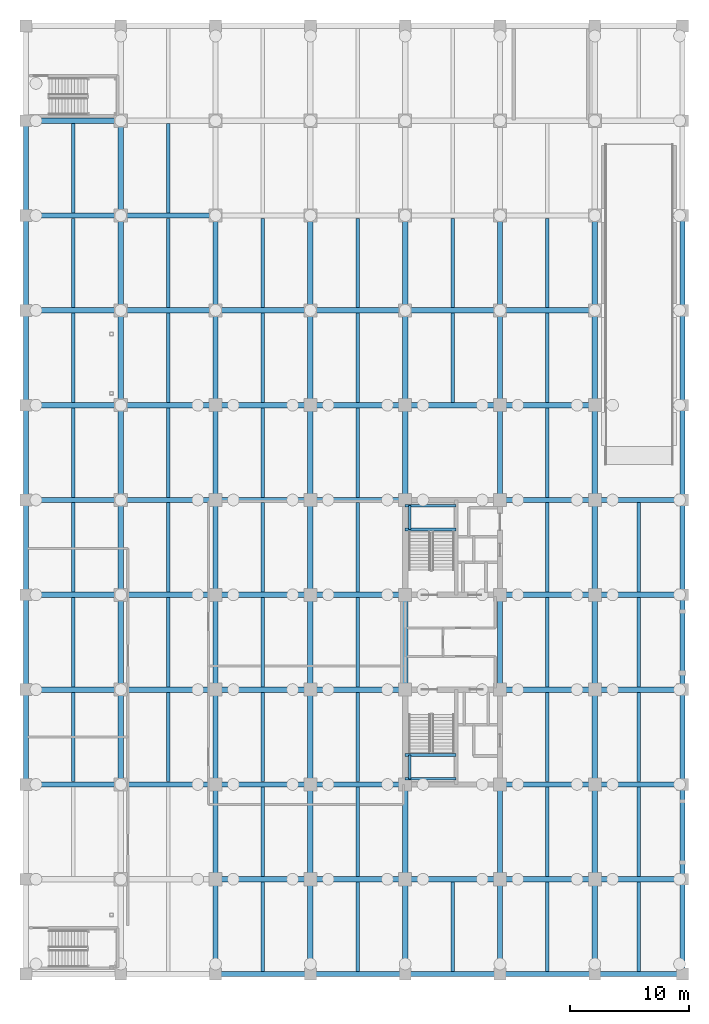
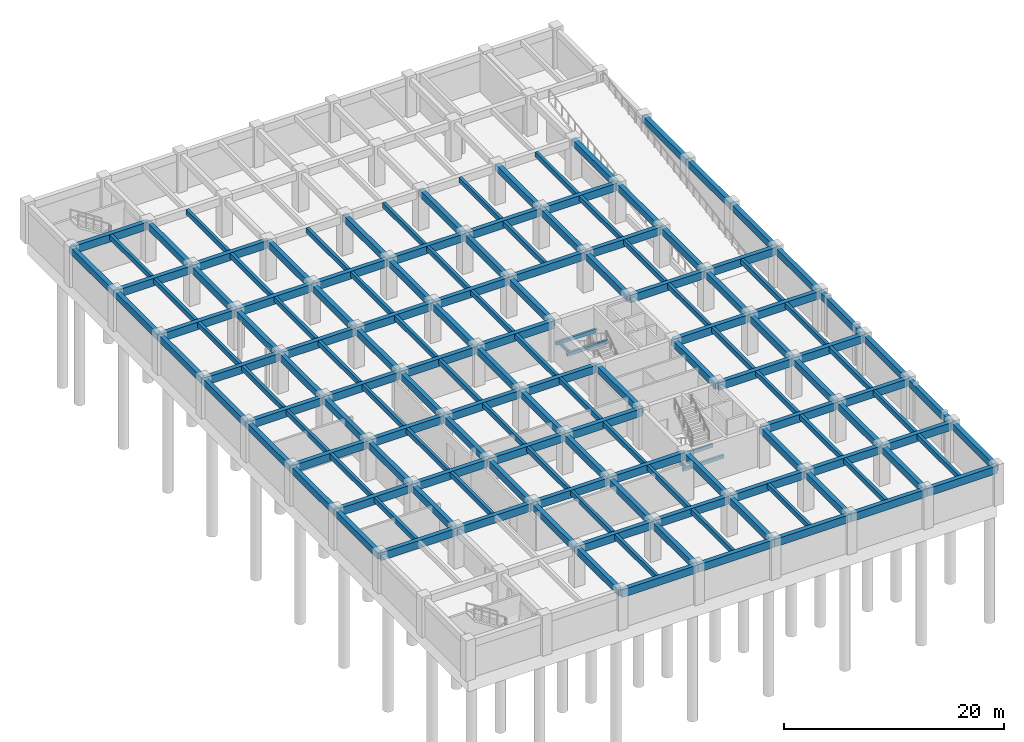
# One storey, part 7 of 15: 159 beams.
"""IFC4 building model written with IfcOpenShell, lengths in metres."""

import ifcopenshell
import ifcopenshell.guid

model = None  # the IFC model being written
_history = None  # IfcOwnerHistory: only IFC2X3 demands one
_inside = {}  # id of a spatial element -> (the spatial element, [elements in it])
_under = {}  # id of a project, library or spatial element -> (it, [spatial elements below it])
_declared = {}  # id of a project -> (the project, [libraries it declares])
_typed = {}  # id of a type object -> (the type object, [elements of that type])
_made_of = {}  # id of a material, layer set ... -> (it, [elements and type objects made of it])


def new_model(schema):
    """Start an empty IFC model of exactly this schema.

    Asked for "IFC4X3", IfcOpenShell would pick the latest addendum, in which some entities
    have other attributes; the version numbers below select the first issue.
    IFC2X3 requires an IfcOwnerHistory on every rooted entity: one is made here for all.
    """
    global model, _history
    if schema == "IFC4X3":
        model = ifcopenshell.file(schema_version=(4, 3, 0, 0))
    else:
        model = ifcopenshell.file(schema=schema)
    _inside.clear()
    _under.clear()
    _declared.clear()
    _typed.clear()
    _made_of.clear()
    _history = None
    if model.schema == "IFC2X3":
        org = make("IfcOrganization", Name="unknown")
        user = make(
            "IfcPersonAndOrganization",
            ThePerson=make("IfcPerson", FamilyName="unknown"),
            TheOrganization=org,
        )
        app = make(
            "IfcApplication",
            ApplicationDeveloper=org,
            Version="unknown",
            ApplicationFullName="unknown",
            ApplicationIdentifier="unknown",
        )
        _history = make(
            "IfcOwnerHistory",
            OwningUser=user,
            OwningApplication=app,
            ChangeAction="ADDED",
            CreationDate=0,
        )
    return model


def make(cls, **values):
    """One entity of the class cls with the attributes given. An attribute that is None is left unset."""
    return model.create_entity(
        cls, **{name: value for name, value in values.items() if value is not None}
    )


def rooted(cls, **values):
    """An entity with a GlobalId (a new one), such as an element, a storey or a relation."""
    return make(cls, GlobalId=ifcopenshell.guid.new(), OwnerHistory=_history, **values)


def si_unit(unit_type, name, prefix=None):
    """IfcSIUnit, for example si_unit("LENGTHUNIT", "METRE", prefix="MILLI")."""
    return make("IfcSIUnit", UnitType=unit_type, Prefix=prefix, Name=name)


def assignment(units):
    """IfcUnitAssignment: the units of a project."""
    return None if units is None else make("IfcUnitAssignment", Units=units)


def point(xyz):
    """IfcCartesianPoint."""
    return None if xyz is None else make("IfcCartesianPoint", Coordinates=xyz)


def direction(xyz):
    """IfcDirection."""
    return None if xyz is None else make("IfcDirection", DirectionRatios=xyz)


def frame(location, z_axis=None, x_axis=None):
    """IfcAxis2Placement3D, a coordinate frame: its origin and axes. An axis left out is left unset."""
    return make(
        "IfcAxis2Placement3D",
        Location=point(location),
        Axis=direction(z_axis),
        RefDirection=direction(x_axis),
    )


def frame_2d(location, x_axis=None):
    """IfcAxis2Placement2D, a coordinate frame in the plane: its origin and x axis."""
    return make(
        "IfcAxis2Placement2D", Location=point(location), RefDirection=direction(x_axis)
    )


def origin():
    """The frame at (0, 0, 0) with its axes left unset."""
    return frame((0.0, 0.0, 0.0))


def origin_2d():
    """The frame at (0, 0) in the plane with its x axis left unset."""
    return frame_2d((0.0, 0.0))


def place(relative_to, where):
    """IfcLocalPlacement: puts the frame where relative to a parent placement (None: the world)."""
    return make(
        "IfcLocalPlacement", PlacementRelTo=relative_to, RelativePlacement=where
    )


def context(
    kind, dimensions, precision=None, world=None, true_north=None, identifier=None
):
    """IfcGeometricRepresentationContext, for example the 3D "Model" context."""
    return make(
        "IfcGeometricRepresentationContext",
        ContextIdentifier=identifier,
        ContextType=kind,
        CoordinateSpaceDimension=dimensions,
        Precision=precision,
        WorldCoordinateSystem=world,
        TrueNorth=true_north,
    )


def subcontext(parent, identifier, kind, view, scale=None):
    """IfcGeometricRepresentationSubContext, for example "Body" below "Model"."""
    return make(
        "IfcGeometricRepresentationSubContext",
        ContextIdentifier=identifier,
        ContextType=kind,
        ParentContext=parent,
        TargetScale=scale,
        TargetView=view,
    )


def project(units=None, contexts=None):
    """IfcProject with its units and contexts."""
    return rooted(
        "IfcProject",
        Name="project",
        RepresentationContexts=contexts,
        UnitsInContext=assignment(units),
    )


def spatial(cls, under=None, at=None, **own):
    """A site, building, storey or space (cls), placed at a placement, below another one or the project."""
    s = rooted(cls, ObjectPlacement=at, **own)
    if under is not None:
        _under.setdefault(under.id(), (under, []))[1].append(s)
    return s


def profile(cls, at=None, kind="AREA", **sizes):
    """A parametric profile (cls). Its sizes go by their IFC names, for example OverallWidth=200.0."""
    return make(cls, ProfileType=kind, Position=at, **sizes)


def rectangle(**sizes):
    """IfcRectangleProfileDef."""
    return profile("IfcRectangleProfileDef", **sizes)


def extrude(swept, where, along, depth):
    """IfcExtrudedAreaSolid: the profile swept, set in the frame where, extruded along a direction by depth."""
    return make(
        "IfcExtrudedAreaSolid",
        SweptArea=swept,
        Position=where,
        ExtrudedDirection=direction(along),
        Depth=depth,
    )


def shape(context_of_items, identifier, shape_type, items):
    """IfcShapeRepresentation: the items that make up one representation, for example the "Body"."""
    return make(
        "IfcShapeRepresentation",
        ContextOfItems=context_of_items,
        RepresentationIdentifier=identifier,
        RepresentationType=shape_type,
        Items=items,
    )


def material(Name=None, Category=None):
    """IfcMaterial."""
    return make("IfcMaterial", Name=Name, Category=Category)


def material_profile(
    of_material, cross_section, Name=None, Category=None, Priority=None
):
    """IfcMaterialProfile: a cross section and its material."""
    return make(
        "IfcMaterialProfile",
        Name=Name,
        Material=of_material,
        Profile=cross_section,
        Priority=Priority,
        Category=Category,
    )


def profile_set(profiles, Name=None, composite=None):
    """IfcMaterialProfileSet."""
    return make(
        "IfcMaterialProfileSet",
        Name=Name,
        MaterialProfiles=profiles,
        CompositeProfile=composite,
    )


def made_of(thing, what):
    """Note that an element or type object is made of a material, layer set ...; save() writes the relation."""
    if what is not None:
        _made_of.setdefault(what.id(), (what, []))[1].append(thing)
    return thing


def type_object(cls, material=None, **own):
    """A type object (cls), such as IfcWallType, which elements share."""
    return made_of(rooted(cls, **own), material)


def element(
    cls,
    number,
    at=None,
    inside=None,
    cuts=None,
    type_object=None,
    material=None,
    context=None,
    identifier="Body",
    shape_type=None,
    held_by="IfcProductDefinitionShape",
    body=None,
    shapes=None,
    **own,
):
    """One element of the class cls, such as IfcWall. Its Tag is "e" and its number.

    at: its placement. inside: the storey or other place that contains it. cuts: it is an
    opening in that element (IfcRelVoidsElement). A single representation is given by context,
    identifier, shape_type and body (its items); several are given by shapes. held_by: the class
    of the entity that holds the representations. save() writes the other relations.
    """
    e = rooted(cls, Tag="e%d" % number, ObjectPlacement=at, **own)
    if body is not None:
        shapes = [shape(context, identifier, shape_type, body)]
    if shapes is not None:
        e.Representation = make(held_by, Representations=shapes)
    if inside is not None:
        _inside.setdefault(inside.id(), (inside, []))[1].append(e)
    if cuts is not None:
        rooted(
            "IfcRelVoidsElement", RelatingBuildingElement=cuts, RelatedOpeningElement=e
        )
    if type_object is not None:
        _typed.setdefault(type_object.id(), (type_object, []))[1].append(e)
    return made_of(e, material)


def aggregate(whole, parts):
    """IfcRelAggregates: a whole, such as a stair, and the parts it consists of."""
    return rooted("IfcRelAggregates", RelatingObject=whole, RelatedObjects=parts)


def save(model, path):
    """Write the relations noted so far, then the file.

    IfcRelAggregates (storeys below a building ...), IfcRelContainedInSpatialStructure (elements
    in a storey), IfcRelDefinesByType, IfcRelAssociatesMaterial and IfcRelDeclares: one each for
    every whole, place, type object, material and project.
    """
    for whole, parts in _under.values():
        aggregate(whole, parts)
    for where, things in _inside.values():
        rooted(
            "IfcRelContainedInSpatialStructure",
            RelatedElements=things,
            RelatingStructure=where,
        )
    for kind, things in _typed.values():
        rooted("IfcRelDefinesByType", RelatedObjects=things, RelatingType=kind)
    for what, things in _made_of.values():
        rooted("IfcRelAssociatesMaterial", RelatedObjects=things, RelatingMaterial=what)
    for by, libraries in _declared.values():
        rooted("IfcRelDeclares", RelatingContext=by, RelatedDefinitions=libraries)
    model.write(path)


model = new_model("IFC4")

# Units and contexts
model_context = context("Model", 3, precision=1e-05, world=origin(), true_north=direction((0.0, 1.0)))
body_context = subcontext(model_context, "Body", "Model", "MODEL_VIEW")
ifc_project = project(units=[si_unit("LENGTHUNIT", "METRE"), si_unit("AREAUNIT", "SQUARE_METRE"), si_unit("VOLUMEUNIT", "CUBIC_METRE"), si_unit("PLANEANGLEUNIT", "RADIAN"), si_unit("MASSUNIT", "GRAM", prefix="KILO")], contexts=[model_context])

# Site, building, storey
site_placement = place(None, origin())
site = spatial("IfcSite", under=ifc_project, at=site_placement, CompositionType="ELEMENT")
building_placement = place(site_placement, origin())
building = spatial("IfcBuilding", under=site, at=building_placement, Name="Canggui Botanical Conservatory", CompositionType="ELEMENT")
storey_placement = place(building_placement, frame((0.0, 0.0, -9.0)))
storey = spatial("IfcBuildingStorey", under=building, at=storey_placement, Name="B2", CompositionType="ELEMENT", Elevation=-9.0)

# Beams
ifc_material = material(Name="Concrete C35", Category="concrete")
ifc_material_profile_1 = material_profile(ifc_material, rectangle(XDim=0.300048828125, YDim=0.550048828125, at=origin_2d()), Name="RB 300x550")
ifc_profile_set_1 = profile_set([ifc_material_profile_1], Name="Concrete C35")
beam_type_1 = type_object("IfcBeamType", Name="BM-JST01", PredefinedType="JOIST", material=ifc_profile_set_1)
for number, where, z_axis, x_axis, name in (
    (1, (126.0, 42.22998046875, 3.945068359375), (0.0, 1.0, 0.0), (-1.0, 0.0, 0.0), "Secondary Floor Joist B2-1-3"),
    (2, (126.0, 50.22998046875, 3.945068359375), (0.0, 1.0, 0.0), (-1.0, 0.0, 0.0), "Secondary Floor Joist B2-1-4"),
    (3, (126.0, 58.22998046875, 3.945068359375), (0.0, 1.0, 0.0), (-1.0, 0.0, 0.0), "Secondary Floor Joist B2-1-5"),
    (4, (126.0, 66.22998046875, 3.945068359375), (0.0, 1.0, 0.0), (-1.0, 0.0, 0.0), "Secondary Floor Joist B2-1-6"),
    (5, (126.0, 74.22998046875, 3.945068359375), (0.0, 1.0, 0.0), (-1.0, 0.0, 0.0), "Secondary Floor Joist B2-1-7"),
    (6, (126.0, 82.22998046875, 3.945068359375), (0.0, 1.0, 0.0), (-1.0, 0.0, 0.0), "Secondary Floor Joist B2-1-8"),
    (7, (126.0, 90.22998046875, 3.945068359375), (0.0, 1.0, 0.0), (-1.0, 0.0, 0.0), "Secondary Floor Joist B2-1-9"),
    (8, (134.0, 42.22998046875, 3.945068359375), (0.0, 1.0, 0.0), (-1.0, 0.0, 0.0), "Secondary Floor Joist B2-2-3"),
    (9, (134.0, 50.22998046875, 3.945068359375), (0.0, 1.0, 0.0), (-1.0, 0.0, 0.0), "Secondary Floor Joist B2-2-4"),
    (10, (134.0, 58.22998046875, 3.945068359375), (0.0, 1.0, 0.0), (-1.0, 0.0, 0.0), "Secondary Floor Joist B2-2-5"),
    (11, (134.0, 66.22998046875, 3.945068359375), (0.0, 1.0, 0.0), (-1.0, 0.0, 0.0), "Secondary Floor Joist B2-2-6"),
    (12, (134.0, 74.22998046875, 3.945068359375), (0.0, 1.0, 0.0), (-1.0, 0.0, 0.0), "Secondary Floor Joist B2-2-7"),
    (13, (134.0, 82.22998046875, 3.945068359375), (0.0, 1.0, 0.0), (-1.0, 0.0, 0.0), "Secondary Floor Joist B2-2-8"),
    (14, (134.0, 90.22998046875, 3.945068359375), (0.0, 1.0, 0.0), (-1.0, 0.0, 0.0), "Secondary Floor Joist B2-2-9"),
    (15, (142.0, 26.22998046875, 3.945068359375), (0.0, 1.0, 0.0), (-1.0, 0.0, 0.0), "Secondary Floor Joist B2-3-1"),
    (16, (142.0, 34.22998046875, 3.945068359375), (0.0, 1.0, 0.0), (-1.0, 0.0, 0.0), "Secondary Floor Joist B2-3-2"),
    (17, (142.0, 42.22998046875, 3.945068359375), (0.0, 1.0, 0.0), (-1.0, 0.0, 0.0), "Secondary Floor Joist B2-3-3"),
    (18, (142.0, 50.22998046875, 3.945068359375), (0.0, 1.0, 0.0), (-1.0, 0.0, 0.0), "Secondary Floor Joist B2-3-4"),
    (19, (142.0, 58.22998046875, 3.945068359375), (0.0, 1.0, 0.0), (-1.0, 0.0, 0.0), "Secondary Floor Joist B2-3-5"),
    (20, (142.0, 66.22998046875, 3.945068359375), (0.0, 1.0, 0.0), (-1.0, 0.0, 0.0), "Secondary Floor Joist B2-3-6"),
    (21, (142.0, 74.22998046875, 3.945068359375), (0.0, 1.0, 0.0), (-1.0, 0.0, 0.0), "Secondary Floor Joist B2-3-7"),
    (22, (142.0, 82.22998046875, 3.945068359375), (0.0, 1.0, 0.0), (-1.0, 0.0, 0.0), "Secondary Floor Joist B2-3-8"),
    (23, (150.0, 26.22998046875, 3.945068359375), (0.0, 1.0, 0.0), (-1.0, 0.0, 0.0), "Secondary Floor Joist B2-4-1"),
    (24, (150.0, 34.22998046875, 3.945068359375), (0.0, 1.0, 0.0), (-1.0, 0.0, 0.0), "Secondary Floor Joist B2-4-2"),
    (25, (150.0, 42.22998046875, 3.945068359375), (0.0, 1.0, 0.0), (-1.0, 0.0, 0.0), "Secondary Floor Joist B2-4-3"),
    (26, (150.0, 50.22998046875, 3.945068359375), (0.0, 1.0, 0.0), (-1.0, 0.0, 0.0), "Secondary Floor Joist B2-4-4"),
    (27, (150.0, 58.22998046875, 3.945068359375), (0.0, 1.0, 0.0), (-1.0, 0.0, 0.0), "Secondary Floor Joist B2-4-5"),
    (28, (150.0, 66.22998046875, 3.945068359375), (0.0, 1.0, 0.0), (-1.0, 0.0, 0.0), "Secondary Floor Joist B2-4-6"),
    (29, (150.0, 74.22998046875, 3.945068359375), (0.0, 1.0, 0.0), (-1.0, 0.0, 0.0), "Secondary Floor Joist B2-4-7"),
    (30, (150.0, 82.22998046875, 3.945068359375), (0.0, 1.0, 0.0), (-1.0, 0.0, 0.0), "Secondary Floor Joist B2-4-8"),
    (31, (158.0, 26.22998046875, 3.945068359375), (0.0, 1.0, 0.0), (-1.0, 0.0, 0.0), "Secondary Floor Joist B2-5-1"),
    (32, (158.0, 74.22998046875, 3.945068359375), (0.0, 1.0, 0.0), (-1.0, 0.0, 0.0), "Secondary Floor Joist B2-5-7"),
    (33, (158.0, 82.22998046875, 3.945068359375), (0.0, 1.0, 0.0), (-1.0, 0.0, 0.0), "Secondary Floor Joist B2-5-8"),
    (34, (166.0, 26.22998046875, 3.945068359375), (0.0, 1.0, 0.0), (-1.0, 0.0, 0.0), "Secondary Floor Joist B2-6-1"),
    (35, (166.0, 34.22998046875, 3.945068359375), (0.0, 1.0, 0.0), (-1.0, 0.0, 0.0), "Secondary Floor Joist B2-6-2"),
    (36, (166.0, 42.22998046875, 3.945068359375), (0.0, 1.0, 0.0), (-1.0, 0.0, 0.0), "Secondary Floor Joist B2-6-3"),
    (37, (166.0, 50.22998046875, 3.945068359375), (0.0, 1.0, 0.0), (-1.0, 0.0, 0.0), "Secondary Floor Joist B2-6-4"),
    (38, (166.0, 58.22998046875, 3.945068359375), (0.0, 1.0, 0.0), (-1.0, 0.0, 0.0), "Secondary Floor Joist B2-6-5"),
    (39, (166.0, 66.22998046875, 3.945068359375), (0.0, 1.0, 0.0), (-1.0, 0.0, 0.0), "Secondary Floor Joist B2-6-6"),
    (40, (166.0, 74.22998046875, 3.945068359375), (0.0, 1.0, 0.0), (-1.0, 0.0, 0.0), "Secondary Floor Joist B2-6-7"),
    (41, (166.0, 82.22998046875, 3.945068359375), (0.0, 1.0, 0.0), (-1.0, 0.0, 0.0), "Secondary Floor Joist B2-6-8"),
    (42, (173.699951171875, 26.22998046875, 3.945068359375), (0.0, 1.0, 0.0), (-1.0, 0.0, 0.0), "Secondary Floor Joist B2-7-1"),
    (43, (173.699951171875, 34.22998046875, 3.945068359375), (0.0, 1.0, 0.0), (-1.0, 0.0, 0.0), "Secondary Floor Joist B2-7-2"),
    (44, (173.699951171875, 42.22998046875, 3.945068359375), (0.0, 1.0, 0.0), (-1.0, 0.0, 0.0), "Secondary Floor Joist B2-7-3"),
    (45, (173.699951171875, 50.22998046875, 3.945068359375), (0.0, 1.0, 0.0), (-1.0, 0.0, 0.0), "Secondary Floor Joist B2-7-4"),
    (46, (173.699951171875, 58.22998046875, 3.945068359375), (0.0, 1.0, 0.0), (-1.0, 0.0, 0.0), "Secondary Floor Joist B2-7-5"),
):
    element("IfcBeam", number, at=place(storey_placement, frame(where, z_axis=z_axis, x_axis=x_axis)), inside=storey, type_object=beam_type_1, Name=name, PredefinedType="JOIST", context=body_context, shape_type="SweptSolid", body=[
        extrude(rectangle(XDim=0.300048828125, YDim=0.550048828125, at=origin_2d()), origin(), (0.0, 0.0, 1.0), 7.5400390625),
    ])
ifc_material_profile_2 = material_profile(ifc_material, rectangle(XDim=0.449951171875, YDim=0.85009765625, at=origin_2d()), Name="RB 450x850")
ifc_profile_set_2 = profile_set([ifc_material_profile_2], Name="Concrete C35")
beam_type_2 = type_object("IfcBeamType", Name="BM-KL05", PredefinedType="BEAM", material=ifc_profile_set_2)
for number, where, z_axis, x_axis, name in (
    (47, (138.0, 26.0, 3.794921875), (1.0, 0.0, 0.0), (0.0, 1.0, 0.0), "Frame Girder B2 Y26-3"),
    (48, (146.0, 26.0, 3.794921875), (1.0, 0.0, 0.0), (0.0, 1.0, 0.0), "Frame Girder B2 Y26-4"),
    (49, (154.0, 26.0, 3.794921875), (1.0, 0.0, 0.0), (0.0, 1.0, 0.0), "Frame Girder B2 Y26-5"),
    (50, (162.0, 26.0, 3.794921875), (1.0, 0.0, 0.0), (0.0, 1.0, 0.0), "Frame Girder B2 Y26-6"),
):
    element("IfcBeam", number, at=place(storey_placement, frame(where, z_axis=z_axis, x_axis=x_axis)), inside=storey, type_object=beam_type_2, Name=name, PredefinedType="BEAM", context=body_context, shape_type="SweptSolid", body=[
        extrude(rectangle(XDim=0.449951171875, YDim=0.85009765625, at=origin_2d()), origin(), (0.0, 0.0, 1.0), 8.0),
    ])
beam_1_placement = place(storey_placement, frame((170.0, 26.0, 3.794921875), z_axis=(1.0, 0.0, 0.0), x_axis=(0.0, 1.0, 0.0)))
element("IfcBeam", 51, at=beam_1_placement, inside=storey, type_object=beam_type_2, Name="Frame Girder B2 Y26-7", PredefinedType="BEAM", context=body_context, shape_type="SweptSolid", body=[
    extrude(rectangle(XDim=0.449951171875, YDim=0.85009765625, at=origin_2d()), origin(), (0.0, 0.0, 1.0), 7.39990234375),
])
for number, where, z_axis, x_axis, name in (
    (52, (138.0, 34.0, 3.794921875), (1.0, 0.0, 0.0), (0.0, 1.0, 0.0), "Frame Girder B2 Y34-3"),
    (53, (146.0, 34.0, 3.794921875), (1.0, 0.0, 0.0), (0.0, 1.0, 0.0), "Frame Girder B2 Y34-4"),
    (54, (154.0, 34.0, 3.794921875), (1.0, 0.0, 0.0), (0.0, 1.0, 0.0), "Frame Girder B2 Y34-5"),
    (55, (162.0, 34.0, 3.794921875), (1.0, 0.0, 0.0), (0.0, 1.0, 0.0), "Frame Girder B2 Y34-6"),
):
    element("IfcBeam", number, at=place(storey_placement, frame(where, z_axis=z_axis, x_axis=x_axis)), inside=storey, type_object=beam_type_2, Name=name, PredefinedType="BEAM", context=body_context, shape_type="SweptSolid", body=[
        extrude(rectangle(XDim=0.449951171875, YDim=0.85009765625, at=origin_2d()), origin(), (0.0, 0.0, 1.0), 8.0),
    ])
beam_2_placement = place(storey_placement, frame((170.0, 34.0, 3.794921875), z_axis=(1.0, 0.0, 0.0), x_axis=(0.0, 1.0, 0.0)))
element("IfcBeam", 56, at=beam_2_placement, inside=storey, type_object=beam_type_2, Name="Frame Girder B2 Y34-7", PredefinedType="BEAM", context=body_context, shape_type="SweptSolid", body=[
    extrude(rectangle(XDim=0.449951171875, YDim=0.85009765625, at=origin_2d()), origin(), (0.0, 0.0, 1.0), 7.39990234375),
])
for number, where, z_axis, x_axis, name in (
    (57, (122.0, 42.0, 3.794921875), (1.0, 0.0, 0.0), (0.0, 1.0, 0.0), "Frame Girder B2 Y42-1"),
    (58, (130.0, 42.0, 3.794921875), (1.0, 0.0, 0.0), (0.0, 1.0, 0.0), "Frame Girder B2 Y42-2"),
    (59, (138.0, 42.0, 3.794921875), (1.0, 0.0, 0.0), (0.0, 1.0, 0.0), "Frame Girder B2 Y42-3"),
    (60, (146.0, 42.0, 3.794921875), (1.0, 0.0, 0.0), (0.0, 1.0, 0.0), "Frame Girder B2 Y42-4"),
    (61, (162.0, 42.0, 3.794921875), (1.0, 0.0, 0.0), (0.0, 1.0, 0.0), "Frame Girder B2 Y42-6"),
):
    element("IfcBeam", number, at=place(storey_placement, frame(where, z_axis=z_axis, x_axis=x_axis)), inside=storey, type_object=beam_type_2, Name=name, PredefinedType="BEAM", context=body_context, shape_type="SweptSolid", body=[
        extrude(rectangle(XDim=0.449951171875, YDim=0.85009765625, at=origin_2d()), origin(), (0.0, 0.0, 1.0), 8.0),
    ])
beam_3_placement = place(storey_placement, frame((170.0, 42.0, 3.794921875), z_axis=(1.0, 0.0, 0.0), x_axis=(0.0, 1.0, 0.0)))
element("IfcBeam", 62, at=beam_3_placement, inside=storey, type_object=beam_type_2, Name="Frame Girder B2 Y42-7", PredefinedType="BEAM", context=body_context, shape_type="SweptSolid", body=[
    extrude(rectangle(XDim=0.449951171875, YDim=0.85009765625, at=origin_2d()), origin(), (0.0, 0.0, 1.0), 7.39990234375),
])
for number, where, z_axis, x_axis, name in (
    (63, (122.0, 50.0, 3.794921875), (1.0, 0.0, 0.0), (0.0, 1.0, 0.0), "Frame Girder B2 Y50-1"),
    (64, (130.0, 50.0, 3.794921875), (1.0, 0.0, 0.0), (0.0, 1.0, 0.0), "Frame Girder B2 Y50-2"),
    (65, (138.0, 50.0, 3.794921875), (1.0, 0.0, 0.0), (0.0, 1.0, 0.0), "Frame Girder B2 Y50-3"),
    (66, (146.0, 50.0, 3.794921875), (1.0, 0.0, 0.0), (0.0, 1.0, 0.0), "Frame Girder B2 Y50-4"),
    (67, (162.0, 50.0, 3.794921875), (1.0, 0.0, 0.0), (0.0, 1.0, 0.0), "Frame Girder B2 Y50-6"),
):
    element("IfcBeam", number, at=place(storey_placement, frame(where, z_axis=z_axis, x_axis=x_axis)), inside=storey, type_object=beam_type_2, Name=name, PredefinedType="BEAM", context=body_context, shape_type="SweptSolid", body=[
        extrude(rectangle(XDim=0.449951171875, YDim=0.85009765625, at=origin_2d()), origin(), (0.0, 0.0, 1.0), 8.0),
    ])
beam_4_placement = place(storey_placement, frame((170.0, 50.0, 3.794921875), z_axis=(1.0, 0.0, 0.0), x_axis=(0.0, 1.0, 0.0)))
element("IfcBeam", 68, at=beam_4_placement, inside=storey, type_object=beam_type_2, Name="Frame Girder B2 Y50-7", PredefinedType="BEAM", context=body_context, shape_type="SweptSolid", body=[
    extrude(rectangle(XDim=0.449951171875, YDim=0.85009765625, at=origin_2d()), origin(), (0.0, 0.0, 1.0), 7.39990234375),
])
for number, where, z_axis, x_axis, name in (
    (69, (122.0, 58.0, 3.794921875), (1.0, 0.0, 0.0), (0.0, 1.0, 0.0), "Frame Girder B2 Y58-1"),
    (70, (130.0, 58.0, 3.794921875), (1.0, 0.0, 0.0), (0.0, 1.0, 0.0), "Frame Girder B2 Y58-2"),
    (71, (138.0, 58.0, 3.794921875), (1.0, 0.0, 0.0), (0.0, 1.0, 0.0), "Frame Girder B2 Y58-3"),
    (72, (146.0, 58.0, 3.794921875), (1.0, 0.0, 0.0), (0.0, 1.0, 0.0), "Frame Girder B2 Y58-4"),
    (73, (162.0, 58.0, 3.794921875), (1.0, 0.0, 0.0), (0.0, 1.0, 0.0), "Frame Girder B2 Y58-6"),
):
    element("IfcBeam", number, at=place(storey_placement, frame(where, z_axis=z_axis, x_axis=x_axis)), inside=storey, type_object=beam_type_2, Name=name, PredefinedType="BEAM", context=body_context, shape_type="SweptSolid", body=[
        extrude(rectangle(XDim=0.449951171875, YDim=0.85009765625, at=origin_2d()), origin(), (0.0, 0.0, 1.0), 8.0),
    ])
beam_5_placement = place(storey_placement, frame((170.0, 58.0, 3.794921875), z_axis=(1.0, 0.0, 0.0), x_axis=(0.0, 1.0, 0.0)))
element("IfcBeam", 74, at=beam_5_placement, inside=storey, type_object=beam_type_2, Name="Frame Girder B2 Y58-7", PredefinedType="BEAM", context=body_context, shape_type="SweptSolid", body=[
    extrude(rectangle(XDim=0.449951171875, YDim=0.85009765625, at=origin_2d()), origin(), (0.0, 0.0, 1.0), 7.39990234375),
])
for number, where, z_axis, x_axis, name in (
    (75, (122.0, 66.0, 3.794921875), (1.0, 0.0, 0.0), (0.0, 1.0, 0.0), "Frame Girder B2 Y66-1"),
    (76, (130.0, 66.0, 3.794921875), (1.0, 0.0, 0.0), (0.0, 1.0, 0.0), "Frame Girder B2 Y66-2"),
    (77, (138.0, 66.0, 3.794921875), (1.0, 0.0, 0.0), (0.0, 1.0, 0.0), "Frame Girder B2 Y66-3"),
    (78, (146.0, 66.0, 3.794921875), (1.0, 0.0, 0.0), (0.0, 1.0, 0.0), "Frame Girder B2 Y66-4"),
    (79, (162.0, 66.0, 3.794921875), (1.0, 0.0, 0.0), (0.0, 1.0, 0.0), "Frame Girder B2 Y66-6"),
):
    element("IfcBeam", number, at=place(storey_placement, frame(where, z_axis=z_axis, x_axis=x_axis)), inside=storey, type_object=beam_type_2, Name=name, PredefinedType="BEAM", context=body_context, shape_type="SweptSolid", body=[
        extrude(rectangle(XDim=0.449951171875, YDim=0.85009765625, at=origin_2d()), origin(), (0.0, 0.0, 1.0), 8.0),
    ])
beam_6_placement = place(storey_placement, frame((170.0, 66.0, 3.794921875), z_axis=(1.0, 0.0, 0.0), x_axis=(0.0, 1.0, 0.0)))
element("IfcBeam", 80, at=beam_6_placement, inside=storey, type_object=beam_type_2, Name="Frame Girder B2 Y66-7", PredefinedType="BEAM", context=body_context, shape_type="SweptSolid", body=[
    extrude(rectangle(XDim=0.449951171875, YDim=0.85009765625, at=origin_2d()), origin(), (0.0, 0.0, 1.0), 7.39990234375),
])
for number, where, z_axis, x_axis, name in (
    (81, (122.0, 74.0, 3.794921875), (1.0, 0.0, 0.0), (0.0, 1.0, 0.0), "Frame Girder B2 Y74-1"),
    (82, (130.0, 74.0, 3.794921875), (1.0, 0.0, 0.0), (0.0, 1.0, 0.0), "Frame Girder B2 Y74-2"),
    (83, (138.0, 74.0, 3.794921875), (1.0, 0.0, 0.0), (0.0, 1.0, 0.0), "Frame Girder B2 Y74-3"),
    (84, (146.0, 74.0, 3.794921875), (1.0, 0.0, 0.0), (0.0, 1.0, 0.0), "Frame Girder B2 Y74-4"),
    (85, (154.0, 74.0, 3.794921875), (1.0, 0.0, 0.0), (0.0, 1.0, 0.0), "Frame Girder B2 Y74-5"),
    (86, (162.0, 74.0, 3.794921875), (1.0, 0.0, 0.0), (0.0, 1.0, 0.0), "Frame Girder B2 Y74-6"),
    (87, (122.0, 82.0, 3.794921875), (1.0, 0.0, 0.0), (0.0, 1.0, 0.0), "Frame Girder B2 Y82-1"),
    (88, (130.0, 82.0, 3.794921875), (1.0, 0.0, 0.0), (0.0, 1.0, 0.0), "Frame Girder B2 Y82-2"),
    (89, (138.0, 82.0, 3.794921875), (1.0, 0.0, 0.0), (0.0, 1.0, 0.0), "Frame Girder B2 Y82-3"),
    (90, (146.0, 82.0, 3.794921875), (1.0, 0.0, 0.0), (0.0, 1.0, 0.0), "Frame Girder B2 Y82-4"),
    (91, (154.0, 82.0, 3.794921875), (1.0, 0.0, 0.0), (0.0, 1.0, 0.0), "Frame Girder B2 Y82-5"),
    (92, (162.0, 82.0, 3.794921875), (1.0, 0.0, 0.0), (0.0, 1.0, 0.0), "Frame Girder B2 Y82-6"),
    (93, (122.0, 90.0, 3.794921875), (1.0, 0.0, 0.0), (0.0, 1.0, 0.0), "Frame Girder B2 Y90-1"),
    (94, (130.0, 90.0, 3.794921875), (1.0, 0.0, 0.0), (0.0, 1.0, 0.0), "Frame Girder B2 Y90-2"),
    (95, (122.0, 98.0, 3.794921875), (1.0, 0.0, 0.0), (0.0, 1.0, 0.0), "Frame Girder B2 Y98-1"),
):
    element("IfcBeam", number, at=place(storey_placement, frame(where, z_axis=z_axis, x_axis=x_axis)), inside=storey, type_object=beam_type_2, Name=name, PredefinedType="BEAM", context=body_context, shape_type="SweptSolid", body=[
        extrude(rectangle(XDim=0.449951171875, YDim=0.85009765625, at=origin_2d()), origin(), (0.0, 0.0, 1.0), 8.0),
    ])
ifc_material_profile_3 = material_profile(ifc_material, rectangle(XDim=0.449951171875, YDim=0.75, at=origin_2d()), Name="RB 450x750")
ifc_profile_set_3 = profile_set([ifc_material_profile_3], Name="Concrete C35")
beam_type_3 = type_object("IfcBeamType", Name="BM-KL06", PredefinedType="BEAM", material=ifc_profile_set_3)
for number, where, z_axis, x_axis, name in (
    (96, (122.0, 42.0, 3.844970703125), (0.0, 1.0, 0.0), (-1.0, 0.0, 0.0), "Frame Girder B2 X122-3"),
    (97, (122.0, 50.0, 3.844970703125), (0.0, 1.0, 0.0), (-1.0, 0.0, 0.0), "Frame Girder B2 X122-4"),
    (98, (122.0, 58.0, 3.844970703125), (0.0, 1.0, 0.0), (-1.0, 0.0, 0.0), "Frame Girder B2 X122-5"),
    (99, (122.0, 66.0, 3.844970703125), (0.0, 1.0, 0.0), (-1.0, 0.0, 0.0), "Frame Girder B2 X122-6"),
    (100, (122.0, 74.0, 3.844970703125), (0.0, 1.0, 0.0), (-1.0, 0.0, 0.0), "Frame Girder B2 X122-7"),
    (101, (122.0, 82.0, 3.844970703125), (0.0, 1.0, 0.0), (-1.0, 0.0, 0.0), "Frame Girder B2 X122-8"),
    (102, (122.0, 90.0, 3.844970703125), (0.0, 1.0, 0.0), (-1.0, 0.0, 0.0), "Frame Girder B2 X122-9"),
    (103, (130.0, 42.0, 3.844970703125), (0.0, 1.0, 0.0), (-1.0, 0.0, 0.0), "Frame Girder B2 X130-3"),
    (104, (130.0, 50.0, 3.844970703125), (0.0, 1.0, 0.0), (-1.0, 0.0, 0.0), "Frame Girder B2 X130-4"),
    (105, (130.0, 58.0, 3.844970703125), (0.0, 1.0, 0.0), (-1.0, 0.0, 0.0), "Frame Girder B2 X130-5"),
    (106, (130.0, 66.0, 3.844970703125), (0.0, 1.0, 0.0), (-1.0, 0.0, 0.0), "Frame Girder B2 X130-6"),
    (107, (130.0, 74.0, 3.844970703125), (0.0, 1.0, 0.0), (-1.0, 0.0, 0.0), "Frame Girder B2 X130-7"),
    (108, (130.0, 82.0, 3.844970703125), (0.0, 1.0, 0.0), (-1.0, 0.0, 0.0), "Frame Girder B2 X130-8"),
    (109, (130.0, 90.0, 3.844970703125), (0.0, 1.0, 0.0), (-1.0, 0.0, 0.0), "Frame Girder B2 X130-9"),
    (110, (138.0, 26.0, 3.844970703125), (0.0, 1.0, 0.0), (-1.0, 0.0, 0.0), "Frame Girder B2 X138-1"),
    (111, (138.0, 34.0, 3.844970703125), (0.0, 1.0, 0.0), (-1.0, 0.0, 0.0), "Frame Girder B2 X138-2"),
    (112, (138.0, 42.0, 3.844970703125), (0.0, 1.0, 0.0), (-1.0, 0.0, 0.0), "Frame Girder B2 X138-3"),
    (113, (138.0, 50.0, 3.844970703125), (0.0, 1.0, 0.0), (-1.0, 0.0, 0.0), "Frame Girder B2 X138-4"),
    (114, (138.0, 58.0, 3.844970703125), (0.0, 1.0, 0.0), (-1.0, 0.0, 0.0), "Frame Girder B2 X138-5"),
    (115, (138.0, 66.0, 3.844970703125), (0.0, 1.0, 0.0), (-1.0, 0.0, 0.0), "Frame Girder B2 X138-6"),
    (116, (138.0, 74.0, 3.844970703125), (0.0, 1.0, 0.0), (-1.0, 0.0, 0.0), "Frame Girder B2 X138-7"),
    (117, (138.0, 82.0, 3.844970703125), (0.0, 1.0, 0.0), (-1.0, 0.0, 0.0), "Frame Girder B2 X138-8"),
    (118, (146.0, 26.0, 3.844970703125), (0.0, 1.0, 0.0), (-1.0, 0.0, 0.0), "Frame Girder B2 X146-1"),
    (119, (146.0, 34.0, 3.844970703125), (0.0, 1.0, 0.0), (-1.0, 0.0, 0.0), "Frame Girder B2 X146-2"),
    (120, (146.0, 42.0, 3.844970703125), (0.0, 1.0, 0.0), (-1.0, 0.0, 0.0), "Frame Girder B2 X146-3"),
    (121, (146.0, 50.0, 3.844970703125), (0.0, 1.0, 0.0), (-1.0, 0.0, 0.0), "Frame Girder B2 X146-4"),
    (122, (146.0, 58.0, 3.844970703125), (0.0, 1.0, 0.0), (-1.0, 0.0, 0.0), "Frame Girder B2 X146-5"),
    (123, (146.0, 66.0, 3.844970703125), (0.0, 1.0, 0.0), (-1.0, 0.0, 0.0), "Frame Girder B2 X146-6"),
    (124, (146.0, 74.0, 3.844970703125), (0.0, 1.0, 0.0), (-1.0, 0.0, 0.0), "Frame Girder B2 X146-7"),
    (125, (146.0, 82.0, 3.844970703125), (0.0, 1.0, 0.0), (-1.0, 0.0, 0.0), "Frame Girder B2 X146-8"),
    (126, (154.0, 26.0, 3.844970703125), (0.0, 1.0, 0.0), (-1.0, 0.0, 0.0), "Frame Girder B2 X154-1"),
    (127, (154.0, 34.0, 3.844970703125), (0.0, 1.0, 0.0), (-1.0, 0.0, 0.0), "Frame Girder B2 X154-2"),
    (128, (154.0, 50.0, 3.844970703125), (0.0, 1.0, 0.0), (-1.0, 0.0, 0.0), "Frame Girder B2 X154-4"),
    (129, (154.0, 66.0, 3.844970703125), (0.0, 1.0, 0.0), (-1.0, 0.0, 0.0), "Frame Girder B2 X154-6"),
    (130, (154.0, 74.0, 3.844970703125), (0.0, 1.0, 0.0), (-1.0, 0.0, 0.0), "Frame Girder B2 X154-7"),
    (131, (154.0, 82.0, 3.844970703125), (0.0, 1.0, 0.0), (-1.0, 0.0, 0.0), "Frame Girder B2 X154-8"),
    (132, (162.0, 26.0, 3.844970703125), (0.0, 1.0, 0.0), (-1.0, 0.0, 0.0), "Frame Girder B2 X162-1"),
    (133, (162.0, 34.0, 3.844970703125), (0.0, 1.0, 0.0), (-1.0, 0.0, 0.0), "Frame Girder B2 X162-2"),
    (134, (162.0, 50.0, 3.844970703125), (0.0, 1.0, 0.0), (-1.0, 0.0, 0.0), "Frame Girder B2 X162-4"),
    (135, (162.0, 66.0, 3.844970703125), (0.0, 1.0, 0.0), (-1.0, 0.0, 0.0), "Frame Girder B2 X162-6"),
    (136, (162.0, 74.0, 3.844970703125), (0.0, 1.0, 0.0), (-1.0, 0.0, 0.0), "Frame Girder B2 X162-7"),
    (137, (162.0, 82.0, 3.844970703125), (0.0, 1.0, 0.0), (-1.0, 0.0, 0.0), "Frame Girder B2 X162-8"),
    (138, (170.0, 26.0, 3.844970703125), (0.0, 1.0, 0.0), (-1.0, 0.0, 0.0), "Frame Girder B2 X170-1"),
    (139, (170.0, 34.0, 3.844970703125), (0.0, 1.0, 0.0), (-1.0, 0.0, 0.0), "Frame Girder B2 X170-2"),
    (140, (170.0, 42.0, 3.844970703125), (0.0, 1.0, 0.0), (-1.0, 0.0, 0.0), "Frame Girder B2 X170-3"),
    (141, (170.0, 50.0, 3.844970703125), (0.0, 1.0, 0.0), (-1.0, 0.0, 0.0), "Frame Girder B2 X170-4"),
    (142, (170.0, 58.0, 3.844970703125), (0.0, 1.0, 0.0), (-1.0, 0.0, 0.0), "Frame Girder B2 X170-5"),
    (143, (170.0, 66.0, 3.844970703125), (0.0, 1.0, 0.0), (-1.0, 0.0, 0.0), "Frame Girder B2 X170-6"),
    (144, (170.0, 74.0, 3.844970703125), (0.0, 1.0, 0.0), (-1.0, 0.0, 0.0), "Frame Girder B2 X170-7"),
    (145, (170.0, 82.0, 3.844970703125), (0.0, 1.0, 0.0), (-1.0, 0.0, 0.0), "Frame Girder B2 X170-8"),
    (146, (177.39990234375, 26.0, 3.844970703125), (0.0, 1.0, 0.0), (-1.0, 0.0, 0.0), "Frame Girder B2 X178-1"),
    (147, (177.39990234375, 34.0, 3.844970703125), (0.0, 1.0, 0.0), (-1.0, 0.0, 0.0), "Frame Girder B2 X178-2"),
    (148, (177.39990234375, 42.0, 3.844970703125), (0.0, 1.0, 0.0), (-1.0, 0.0, 0.0), "Frame Girder B2 X178-3"),
    (149, (177.39990234375, 50.0, 3.844970703125), (0.0, 1.0, 0.0), (-1.0, 0.0, 0.0), "Frame Girder B2 X178-4"),
    (150, (177.39990234375, 58.0, 3.844970703125), (0.0, 1.0, 0.0), (-1.0, 0.0, 0.0), "Frame Girder B2 X178-5"),
    (151, (177.39990234375, 66.0, 3.844970703125), (0.0, 1.0, 0.0), (-1.0, 0.0, 0.0), "Frame Girder B2 X178-6"),
    (152, (177.39990234375, 74.0, 3.844970703125), (0.0, 1.0, 0.0), (-1.0, 0.0, 0.0), "Frame Girder B2 X178-7"),
    (153, (177.39990234375, 82.0, 3.844970703125), (0.0, 1.0, 0.0), (-1.0, 0.0, 0.0), "Frame Girder B2 X178-8"),
):
    element("IfcBeam", number, at=place(storey_placement, frame(where, z_axis=z_axis, x_axis=x_axis)), inside=storey, type_object=beam_type_3, Name=name, PredefinedType="BEAM", context=body_context, shape_type="SweptSolid", body=[
        extrude(rectangle(XDim=0.449951171875, YDim=0.75, at=origin_2d()), origin(), (0.0, 0.0, 1.0), 8.0),
    ])
ifc_material_profile_4 = material_profile(ifc_material, rectangle(XDim=0.239990234375, YDim=0.360107421875, at=origin_2d()), Name="RB 240x360")
ifc_profile_set_4 = profile_set([ifc_material_profile_4], Name="Concrete C35")
beam_type_4 = type_object("IfcBeamType", Name="BM-LIN01", PredefinedType="LINTEL", material=ifc_profile_set_4)
for number, where, z_axis, x_axis, name in (
    (154, (154.0, 42.47998046875, 1.8701171875), (1.0, 0.0, 0.0), (0.0, 1.0, 0.0), "ST-T1 Half-Landing Ledger Beam B2-1.1"),
    (155, (154.0, 44.484619140625, 1.8701171875), (1.0, 0.0, 0.0), (0.0, 1.0, 0.0), "ST-T1 Half-Landing Ledger Beam B2-1.2"),
    (156, (154.0, 63.515380859375, 1.8701171875), (1.0, 0.0, 0.0), (0.0, 1.0, 0.0), "ST-T2 Half-Landing Ledger Beam B2-1.1"),
    (157, (154.0, 65.52001953125, 1.8701171875), (1.0, 0.0, 0.0), (0.0, 1.0, 0.0), "ST-T2 Half-Landing Ledger Beam B2-1.2"),
):
    element("IfcBeam", number, at=place(storey_placement, frame(where, z_axis=z_axis, x_axis=x_axis)), inside=storey, type_object=beam_type_4, Name=name, PredefinedType="LINTEL", context=body_context, shape_type="SweptSolid", body=[
        extrude(rectangle(XDim=0.239990234375, YDim=0.360107421875, at=origin_2d()), origin(), (0.0, 0.0, 1.0), 4.300048828125),
    ])
ifc_material_profile_5 = material_profile(ifc_material, rectangle(XDim=0.199951171875, YDim=0.320068359375, at=origin_2d()), Name="RB 200x320")
ifc_profile_set_5 = profile_set([ifc_material_profile_5], Name="Concrete C35")
beam_type_5 = type_object("IfcBeamType", Name="BM-LIN02", PredefinedType="LINTEL", material=ifc_profile_set_5)
for number, where, z_axis, x_axis, name in (
    (158, (154.3798828125, 42.47998046875, 1.8701171875), (0.0, 1.0, 0.0), (-1.0, 0.0, 0.0), "ST-T1 Half-Landing Edge Ledger B2-1.3"),
    (159, (154.3798828125, 63.515380859375, 1.8701171875), (0.0, 1.0, 0.0), (-1.0, 0.0, 0.0), "ST-T2 Half-Landing Edge Ledger B2-1.3"),
):
    element("IfcBeam", number, at=place(storey_placement, frame(where, z_axis=z_axis, x_axis=x_axis)), inside=storey, type_object=beam_type_5, Name=name, PredefinedType="LINTEL", context=body_context, shape_type="SweptSolid", body=[
        extrude(rectangle(XDim=0.199951171875, YDim=0.320068359375, at=origin_2d()), origin(), (0.0, 0.0, 1.0), 2.004638671875),
    ])

save(model, "model.ifc")
